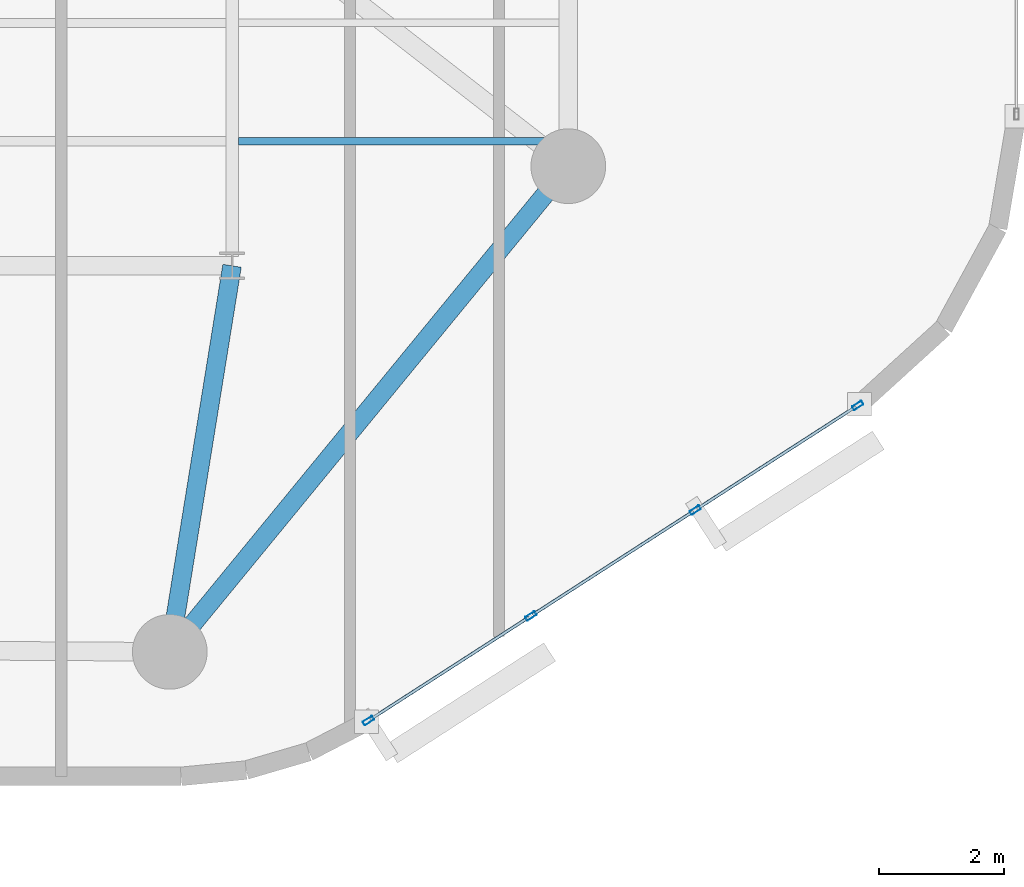
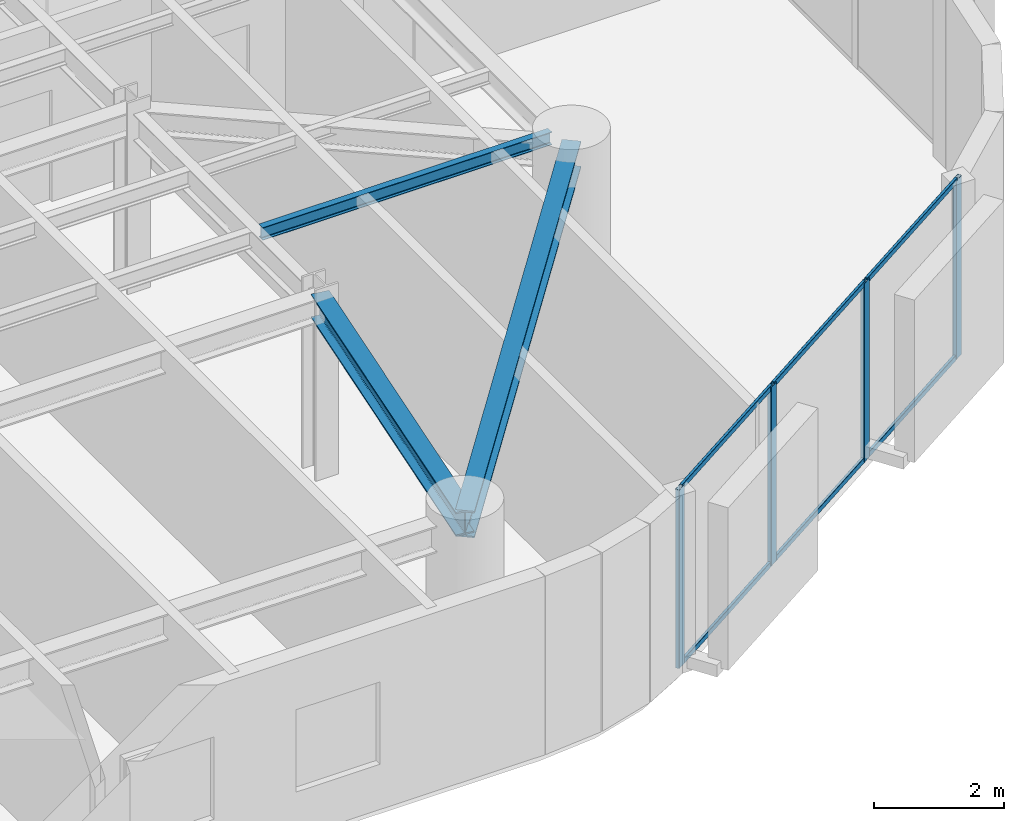
# One storey, part 2 of 15: 10 members, 3 beams, 1 element without a shape of its own.
"""IFC4 building model written with IfcOpenShell, lengths in metres."""

from ifc_helpers import new_model, si_unit, direction, frame, origin, origin_2d, place, context, subcontext, project, spatial, hollow_rectangle, i_section, extrude, material, layer, layer_set, material_profile, profile_set, type_object, element, aggregate, save


model = new_model("IFC4")

# Units and contexts
model_context = context("Model", 3, precision=1e-05, world=origin(), true_north=direction((0.0, 1.0)))
body_context = subcontext(model_context, "Body", "Model", "MODEL_VIEW")
ifc_project = project(units=[si_unit("LENGTHUNIT", "METRE"), si_unit("AREAUNIT", "SQUARE_METRE"), si_unit("VOLUMEUNIT", "CUBIC_METRE"), si_unit("PLANEANGLEUNIT", "RADIAN"), si_unit("MASSUNIT", "GRAM", prefix="KILO")], contexts=[model_context])

# Site, building, storey
site_placement = place(None, origin())
site = spatial("IfcSite", under=ifc_project, at=site_placement, CompositionType="ELEMENT")
building_placement = place(site_placement, origin())
building = spatial("IfcBuilding", under=site, at=building_placement, Name="An Khanh Terracotta Commons", CompositionType="ELEMENT")
storey_placement = place(building_placement, frame((0.0, 0.0, 187.0)))
storey = spatial("IfcBuildingStorey", under=building, at=storey_placement, Name="L49", CompositionType="ELEMENT", Elevation=187.0)

# Beams
ifc_material_1 = material(Name="Steel S355J2", Category="steel")
ifc_material_profile_1 = material_profile(ifc_material_1, i_section(OverallWidth=0.300048828125, OverallDepth=0.449951171875, WebThickness=0.013916015625, FlangeThickness=0.02587890625, FilletRadius=0.027099609375, at=origin_2d()), Name="HEB450")
ifc_profile_set_1 = profile_set([ifc_material_profile_1], Name="Steel S355J2")
beam_type_1 = type_object("IfcBeamType", Name="BM-HEB450", PredefinedType="BEAM", material=ifc_profile_set_1)
beam_1_placement = place(storey_placement, frame((49.39990234375, 8.199951171875, 3.135009765625), z_axis=(0.159233661074, 0.987240923575, 0.0), x_axis=(-0.987240923575, 0.159233661074, 0.0)))
element("IfcBeam", 1, at=beam_1_placement, inside=storey, type_object=beam_type_1, Name="L49 Mega-Column Tie Girder 2", PredefinedType="BEAM", context=body_context, shape_type="SweptSolid", body=[
    extrude(i_section(OverallWidth=0.300048828125, OverallDepth=0.449951171875, WebThickness=0.013916015625, FlangeThickness=0.02587890625, FilletRadius=0.027099609375, at=origin_2d()), origin(), (0.0, 0.0, 1.0), 6.280029296875),
])
ifc_material_profile_2 = material_profile(ifc_material_1, i_section(OverallWidth=0.300048828125, OverallDepth=0.5, WebThickness=0.014404296875, FlangeThickness=0.028076171875, FilletRadius=0.027099609375, at=origin_2d()), Name="HEB500")
ifc_profile_set_2 = profile_set([ifc_material_profile_2], Name="Steel S355J2")
beam_type_2 = type_object("IfcBeamType", Name="BM-HEB500", PredefinedType="BEAM", material=ifc_profile_set_2)
beam_2_placement = place(storey_placement, frame((49.39990234375, 8.199951171875, 3.110107421875), z_axis=(0.634322915223, 0.7730681983, 0.0), x_axis=(-0.7730681983, 0.634322915223, 0.0)))
element("IfcBeam", 2, at=beam_2_placement, inside=storey, type_object=beam_type_2, Name="L49 Perimeter Ring Spandrel 2", PredefinedType="BEAM", context=body_context, shape_type="SweptSolid", body=[
    extrude(i_section(OverallWidth=0.300048828125, OverallDepth=0.5, WebThickness=0.014404296875, FlangeThickness=0.028076171875, FilletRadius=0.027099609375, at=origin_2d()), origin(), (0.0, 0.0, 1.0), 10.08984375),
])
ifc_material_profile_3 = material_profile(ifc_material_1, i_section(OverallWidth=0.1201171875, OverallDepth=0.239990234375, WebThickness=0.006103515625, FlangeThickness=0.009765625, FilletRadius=0.014892578125, at=origin_2d()), Name="IPE240")
ifc_profile_set_3 = profile_set([ifc_material_profile_3], Name="Steel S355J2")
beam_type_3 = type_object("IfcBeamType", Name="BM-IPE240", PredefinedType="JOIST", material=ifc_profile_set_3)
beam_3_placement = place(storey_placement, frame((50.5, 16.39990234375, 3.239990234375), z_axis=(1.0, 0.0, 0.0), x_axis=(0.0, 1.0, 0.0)))
element("IfcBeam", 3, at=beam_3_placement, inside=storey, type_object=beam_type_3, Name="L49 Riverfront Composite Joist 1", PredefinedType="JOIST", context=body_context, shape_type="SweptSolid", body=[
    extrude(i_section(OverallWidth=0.1201171875, OverallDepth=0.239990234375, WebThickness=0.006103515625, FlangeThickness=0.009765625, FilletRadius=0.014892578125, at=origin_2d()), origin(), (0.0, 0.0, 1.0), 5.14990234375),
])

# Curtain wall, members
ifc_material_2 = material(Name="Anodised Aluminium 6063-T6", Category="aluminium")
ifc_layer = layer(ifc_material_2, 0.2099609375, Name="Anodised Aluminium 6063-T6")
ifc_layer_set = layer_set([ifc_layer], Name="Anodised Aluminium 6063-T6")
curtain_wall_type = type_object("IfcCurtainWallType", Name="CW-SYS-03", PredefinedType="USERDEFINED", material=ifc_layer_set)
curtain_wall_placement = place(storey_placement, origin())
curtain_wall = element("IfcCurtainWall", 4, at=curtain_wall_placement, inside=storey, type_object=curtain_wall_type, Name="L49 CW-03 Unitised Curtain Wall CW-L49-08", ObjectType="UNITISED CURTAIN WALL", PredefinedType="USERDEFINED")
ifc_material_profile_4 = material_profile(ifc_material_2, hollow_rectangle(XDim=0.070068359375, YDim=0.179931640625, WallThickness=0.00390625, InnerFilletRadius=0.00390625, OuterFilletRadius=0.008056640625, at=origin_2d()), Name="RHS180x70x4")
ifc_profile_set_4 = profile_set([ifc_material_profile_4], Name="Anodised Aluminium 6063-T6")
member_type_1 = type_object("IfcMemberType", Name="CWM-RHS180x70x4", PredefinedType="MULLION", material=ifc_profile_set_4)
member_1_placement = place(storey_placement, frame((52.58935546875, 7.094970703125, 0.0), z_axis=(0.0, 0.0, 1.0), x_axis=(-0.541497931062, 0.840702081986, 0.0)))
member_1 = element("IfcMember", 5, at=member_1_placement, type_object=member_type_1, Name="CW-03 mullion 1", PredefinedType="MULLION", context=body_context, shape_type="SweptSolid", body=[
    extrude(hollow_rectangle(XDim=0.070068359375, YDim=0.179931640625, WallThickness=0.00390625, InnerFilletRadius=0.00390625, OuterFilletRadius=0.008056640625, at=origin_2d()), origin(), (0.0, 0.0, 1.0), 3.360107421875),
])
member_2_placement = place(storey_placement, frame((55.19921875, 8.77587890625, 0.0), z_axis=(0.0, 0.0, 1.0), x_axis=(-0.541497931062, 0.840702081986, 0.0)))
member_2 = element("IfcMember", 6, at=member_2_placement, type_object=member_type_1, Name="CW-03 mullion 2", PredefinedType="MULLION", context=body_context, shape_type="SweptSolid", body=[
    extrude(hollow_rectangle(XDim=0.070068359375, YDim=0.179931640625, WallThickness=0.00390625, InnerFilletRadius=0.00390625, OuterFilletRadius=0.008056640625, at=origin_2d()), origin(), (0.0, 0.0, 1.0), 3.360107421875),
])
member_3_placement = place(storey_placement, frame((57.838623046875, 10.47607421875, 0.0), z_axis=(0.0, 0.0, 1.0), x_axis=(-0.541497931062, 0.840702081986, 0.0)))
member_3 = element("IfcMember", 7, at=member_3_placement, type_object=member_type_1, Name="CW-03 mullion 3", PredefinedType="MULLION", context=body_context, shape_type="SweptSolid", body=[
    extrude(hollow_rectangle(XDim=0.070068359375, YDim=0.179931640625, WallThickness=0.00390625, InnerFilletRadius=0.00390625, OuterFilletRadius=0.008056640625, at=origin_2d()), origin(), (0.0, 0.0, 1.0), 3.360107421875),
])
member_4_placement = place(storey_placement, frame((60.448486328125, 12.156982421875, 0.0), z_axis=(0.0, 0.0, 1.0), x_axis=(-0.541497931062, 0.840702081986, 0.0)))
member_4 = element("IfcMember", 8, at=member_4_placement, type_object=member_type_1, Name="CW-03 mullion 4", PredefinedType="MULLION", context=body_context, shape_type="SweptSolid", body=[
    extrude(hollow_rectangle(XDim=0.070068359375, YDim=0.179931640625, WallThickness=0.00390625, InnerFilletRadius=0.00390625, OuterFilletRadius=0.008056640625, at=origin_2d()), origin(), (0.0, 0.0, 1.0), 3.360107421875),
])
ifc_material_profile_5 = material_profile(ifc_material_2, hollow_rectangle(XDim=0.050048828125, YDim=0.10009765625, WallThickness=0.003173828125, InnerFilletRadius=0.003173828125, OuterFilletRadius=0.00634765625, at=origin_2d()), Name="RHS100x50x3.2")
ifc_profile_set_5 = profile_set([ifc_material_profile_5], Name="Anodised Aluminium 6063-T6")
member_type_2 = type_object("IfcMemberType", Name="CWT-RHS100x50x3.2", PredefinedType="USERDEFINED", material=ifc_profile_set_5)
member_5_placement = place(storey_placement, frame((52.618896484375, 7.114013671875, 0.02490234375), z_axis=(0.840710223453, 0.541485290826, 0.0), x_axis=(-0.541485290826, 0.840710223453, 0.0)))
member_5 = element("IfcMember", 9, at=member_5_placement, type_object=member_type_2, Name="CW-03 transom 1.1", ObjectType="TRANSOM", PredefinedType="USERDEFINED", context=body_context, shape_type="SweptSolid", body=[
    extrude(hollow_rectangle(XDim=0.050048828125, YDim=0.10009765625, WallThickness=0.003173828125, InnerFilletRadius=0.003173828125, OuterFilletRadius=0.00634765625, at=origin_2d()), origin(), (0.0, 0.0, 1.0), 3.034423828125),
])
member_6_placement = place(storey_placement, frame((52.618896484375, 7.114013671875, 3.3349609375), z_axis=(0.840710223453, 0.541485290826, 0.0), x_axis=(-0.541485290826, 0.840710223453, 0.0)))
member_6 = element("IfcMember", 10, at=member_6_placement, type_object=member_type_2, Name="CW-03 transom 1.2", ObjectType="TRANSOM", PredefinedType="USERDEFINED", context=body_context, shape_type="SweptSolid", body=[
    extrude(hollow_rectangle(XDim=0.050048828125, YDim=0.10009765625, WallThickness=0.003173828125, InnerFilletRadius=0.003173828125, OuterFilletRadius=0.00634765625, at=origin_2d()), origin(), (0.0, 0.0, 1.0), 3.034423828125),
])
member_7_placement = place(storey_placement, frame((55.228759765625, 8.794921875, 0.02490234375), z_axis=(0.840707825526, 0.54148901383, 0.0), x_axis=(-0.54148901383, 0.840707825526, 0.0)))
member_7 = element("IfcMember", 11, at=member_7_placement, type_object=member_type_2, Name="CW-03 transom 2.1", ObjectType="TRANSOM", PredefinedType="USERDEFINED", context=body_context, shape_type="SweptSolid", body=[
    extrude(hollow_rectangle(XDim=0.050048828125, YDim=0.10009765625, WallThickness=0.003173828125, InnerFilletRadius=0.003173828125, OuterFilletRadius=0.00634765625, at=origin_2d()), origin(), (0.0, 0.0, 1.0), 3.069580078125),
])
member_8_placement = place(storey_placement, frame((55.228759765625, 8.794921875, 3.3349609375), z_axis=(0.840707825526, 0.54148901383, 0.0), x_axis=(-0.54148901383, 0.840707825526, 0.0)))
member_8 = element("IfcMember", 12, at=member_8_placement, type_object=member_type_2, Name="CW-03 transom 2.2", ObjectType="TRANSOM", PredefinedType="USERDEFINED", context=body_context, shape_type="SweptSolid", body=[
    extrude(hollow_rectangle(XDim=0.050048828125, YDim=0.10009765625, WallThickness=0.003173828125, InnerFilletRadius=0.003173828125, OuterFilletRadius=0.00634765625, at=origin_2d()), origin(), (0.0, 0.0, 1.0), 3.069580078125),
])
member_9_placement = place(storey_placement, frame((57.8681640625, 10.494873046875, 0.02490234375), z_axis=(0.840673595852, 0.541542154626, 0.0), x_axis=(-0.541542154626, 0.840673595852, 0.0)))
member_9 = element("IfcMember", 13, at=member_9_placement, type_object=member_type_2, Name="CW-03 transom 3.1", ObjectType="TRANSOM", PredefinedType="USERDEFINED", context=body_context, shape_type="SweptSolid", body=[
    extrude(hollow_rectangle(XDim=0.050048828125, YDim=0.10009765625, WallThickness=0.003173828125, InnerFilletRadius=0.003173828125, OuterFilletRadius=0.00634765625, at=origin_2d()), origin(), (0.0, 0.0, 1.0), 3.034423828125),
])
member_10_placement = place(storey_placement, frame((57.8681640625, 10.494873046875, 3.3349609375), z_axis=(0.840673595852, 0.541542154626, 0.0), x_axis=(-0.541542154626, 0.840673595852, 0.0)))
member_10 = element("IfcMember", 14, at=member_10_placement, type_object=member_type_2, Name="CW-03 transom 3.2", ObjectType="TRANSOM", PredefinedType="USERDEFINED", context=body_context, shape_type="SweptSolid", body=[
    extrude(hollow_rectangle(XDim=0.050048828125, YDim=0.10009765625, WallThickness=0.003173828125, InnerFilletRadius=0.003173828125, OuterFilletRadius=0.00634765625, at=origin_2d()), origin(), (0.0, 0.0, 1.0), 3.034423828125),
])
aggregate(curtain_wall, [member_1, member_2, member_3, member_4, member_5, member_6, member_7, member_8, member_9, member_10])

save(model, "model.ifc")
